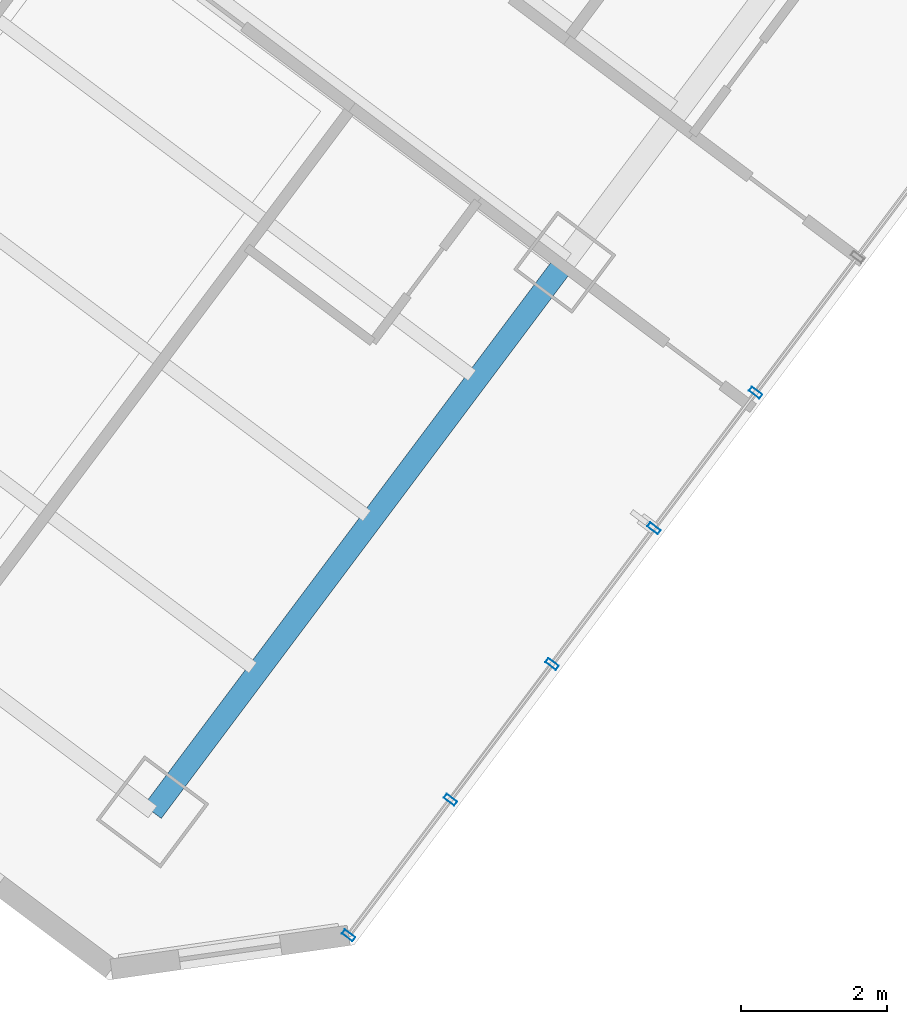
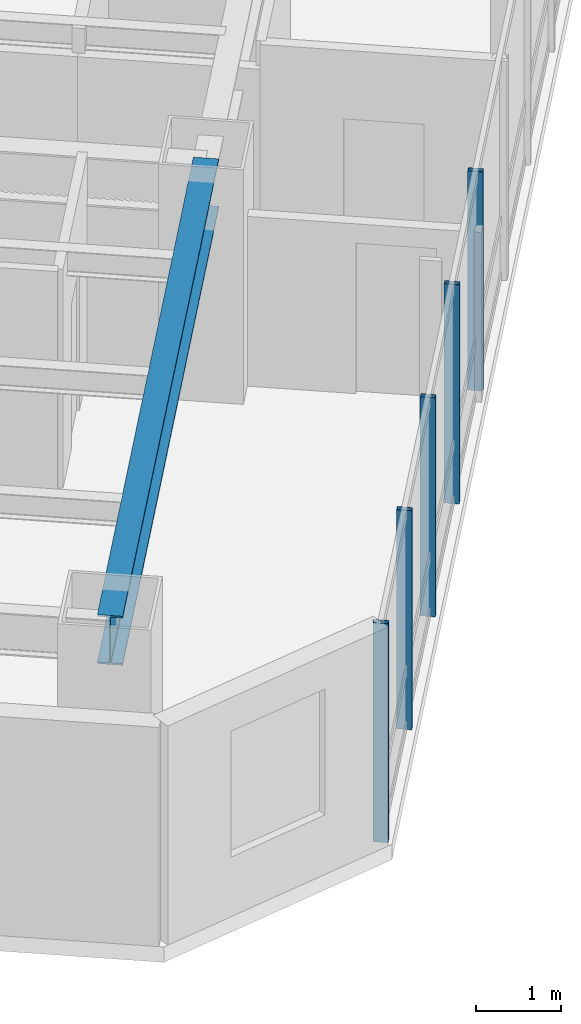
# One storey, part 8 of 37: 5 members, 1 beam, 1 element without a shape of its own.
"""IFC4 building model written with IfcOpenShell, lengths in metres."""

from ifc_helpers import new_model, si_unit, direction, frame, origin, origin_2d, place, context, subcontext, project, spatial, hollow_rectangle, i_section, extrude, material, layer, layer_set, material_profile, profile_set, type_object, element, aggregate, save


model = new_model("IFC4")

# Units and contexts
model_context = context("Model", 3, precision=1e-05, world=origin(), true_north=direction((0.0, 1.0)))
body_context = subcontext(model_context, "Body", "Model", "MODEL_VIEW")
ifc_project = project(units=[si_unit("LENGTHUNIT", "METRE"), si_unit("AREAUNIT", "SQUARE_METRE"), si_unit("VOLUMEUNIT", "CUBIC_METRE"), si_unit("PLANEANGLEUNIT", "RADIAN"), si_unit("MASSUNIT", "GRAM", prefix="KILO")], contexts=[model_context])

# Site, building, storey
site_placement = place(None, origin())
site = spatial("IfcSite", under=ifc_project, at=site_placement, CompositionType="ELEMENT")
building_placement = place(site_placement, origin())
building = spatial("IfcBuilding", under=site, at=building_placement, Name="Hatsunagi Terrace Concourse", CompositionType="ELEMENT")
storey_placement = place(building_placement, frame((0.0, 0.0, 50.0)))
storey = spatial("IfcBuildingStorey", under=building, at=storey_placement, Name="L12", CompositionType="ELEMENT", Elevation=50.0)

# Curtain wall, members
ifc_material_1 = material(Name="Anodised Aluminium Alloy 6063-T5", Category="aluminium")
ifc_layer = layer(ifc_material_1, 0.199951171875)
ifc_layer_set = layer_set([ifc_layer], Name="HotelFacade_CW02")
curtain_wall_type = type_object("IfcCurtainWallType", Name="HotelFacade_CW02", PredefinedType="NOTDEFINED", material=ifc_layer_set)
curtain_wall_placement = place(storey_placement, origin())
curtain_wall = element("IfcCurtainWall", 1, at=curtain_wall_placement, inside=storey, type_object=curtain_wall_type, Name="Unitised Curtain Wall CW-02 CW-L12-03", PredefinedType="NOTDEFINED")
ifc_material_2 = material(Name="Anodised Aluminium Alloy 6063-T5", Category="aluminium")
ifc_material_profile_1 = material_profile(ifc_material_2, hollow_rectangle(XDim=0.070068359375, YDim=0.179931640625, WallThickness=0.00390625, at=origin_2d()), Name="ALU-MUL-180x70x4")
ifc_profile_set_1 = profile_set([ifc_material_profile_1], Name="Anodised Aluminium Alloy 6063-T5")
member_type = type_object("IfcMemberType", Name="CurtainWallMullion_180x70", PredefinedType="MULLION", material=ifc_profile_set_1)
member_1_placement = place(storey_placement, frame((62.132080078125, 10.3759765625, 0.0), z_axis=(0.0, 0.0, 1.0), x_axis=(-0.599969314634, -0.800023013105, 0.0)))
member_1 = element("IfcMember", 2, at=member_1_placement, type_object=member_type, Name="Curtain Wall Mullion MUL-02", PredefinedType="MULLION", context=body_context, shape_type="SweptSolid", body=[
    extrude(hollow_rectangle(XDim=0.070068359375, YDim=0.179931640625, WallThickness=0.00390625, at=origin_2d()), origin(), (0.0, 0.0, 1.0), 3.1298828125),
])
member_2_placement = place(storey_placement, frame((60.739990234375, 8.51904296875, 0.0), z_axis=(0.0, 0.0, 1.0), x_axis=(-0.599969314634, -0.800023013105, 0.0)))
member_2 = element("IfcMember", 3, at=member_2_placement, type_object=member_type, Name="Curtain Wall Mullion MUL-02", PredefinedType="MULLION", context=body_context, shape_type="SweptSolid", body=[
    extrude(hollow_rectangle(XDim=0.070068359375, YDim=0.179931640625, WallThickness=0.00390625, at=origin_2d()), origin(), (0.0, 0.0, 1.0), 3.1298828125),
])
member_3_placement = place(storey_placement, frame((59.346923828125, 6.6630859375, 0.0), z_axis=(0.0, 0.0, 1.0), x_axis=(-0.599969314634, -0.800023013105, 0.0)))
member_3 = element("IfcMember", 4, at=member_3_placement, type_object=member_type, Name="Curtain Wall Mullion MUL-02", PredefinedType="MULLION", context=body_context, shape_type="SweptSolid", body=[
    extrude(hollow_rectangle(XDim=0.070068359375, YDim=0.179931640625, WallThickness=0.00390625, at=origin_2d()), origin(), (0.0, 0.0, 1.0), 3.1298828125),
])
member_4_placement = place(storey_placement, frame((57.955078125, 4.805908203125, 0.0), z_axis=(0.0, 0.0, 1.0), x_axis=(-0.599969314634, -0.800023013105, 0.0)))
member_4 = element("IfcMember", 5, at=member_4_placement, type_object=member_type, Name="Curtain Wall Mullion MUL-02", PredefinedType="MULLION", context=body_context, shape_type="SweptSolid", body=[
    extrude(hollow_rectangle(XDim=0.070068359375, YDim=0.179931640625, WallThickness=0.00390625, at=origin_2d()), origin(), (0.0, 0.0, 1.0), 3.1298828125),
])
member_5_placement = place(storey_placement, frame((56.56298828125, 2.949951171875, 0.0), z_axis=(0.0, 0.0, 1.0), x_axis=(-0.599969314634, -0.800023013105, 0.0)))
member_5 = element("IfcMember", 6, at=member_5_placement, type_object=member_type, Name="Curtain Wall Mullion MUL-02", PredefinedType="MULLION", context=body_context, shape_type="SweptSolid", body=[
    extrude(hollow_rectangle(XDim=0.070068359375, YDim=0.179931640625, WallThickness=0.00390625, at=origin_2d()), origin(), (0.0, 0.0, 1.0), 3.1298828125),
])
aggregate(curtain_wall, [member_1, member_2, member_3, member_4, member_5])

# Beam
ifc_material_3 = material(Name="Steel SN490B", Category="steel")
ifc_material_profile_2 = material_profile(ifc_material_3, i_section(OverallWidth=0.300048828125, OverallDepth=0.699951171875, WebThickness=0.012939453125, FlangeThickness=0.02392578125, FilletRadius=0.02197265625, at=origin_2d()), Name="H-700x300x13x24")
ifc_profile_set_2 = profile_set([ifc_material_profile_2], Name="Steel SN490B")
beam_type = type_object("IfcBeamType", Name="HotelFloorGirder_H_700x300", PredefinedType="BEAM", material=ifc_profile_set_2)
beam_placement = place(storey_placement, frame((53.8798828125, 4.639892578125, 2.780029296875), z_axis=(0.600008311051, 0.799993766644, 0.0), x_axis=(-0.799993766644, 0.600008311051, 0.0)))
element("IfcBeam", 7, at=beam_placement, inside=storey, type_object=beam_type, Name="Beam G-04 BM-L12-SET-3A", PredefinedType="BEAM", context=body_context, shape_type="SweptSolid", body=[
    extrude(i_section(OverallWidth=0.300048828125, OverallDepth=0.699951171875, WebThickness=0.012939453125, FlangeThickness=0.02392578125, FilletRadius=0.02197265625, at=origin_2d()), origin(), (0.0, 0.0, 1.0), 9.400146484375),
])

save(model, "model.ifc")
